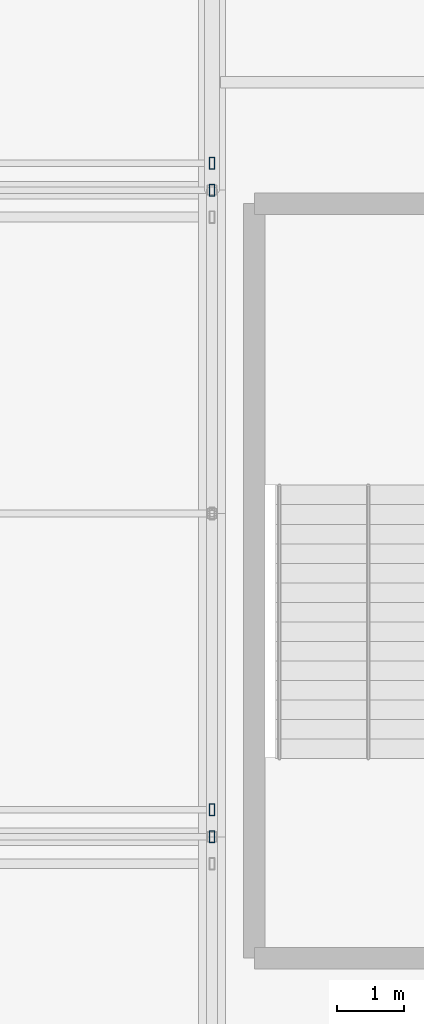
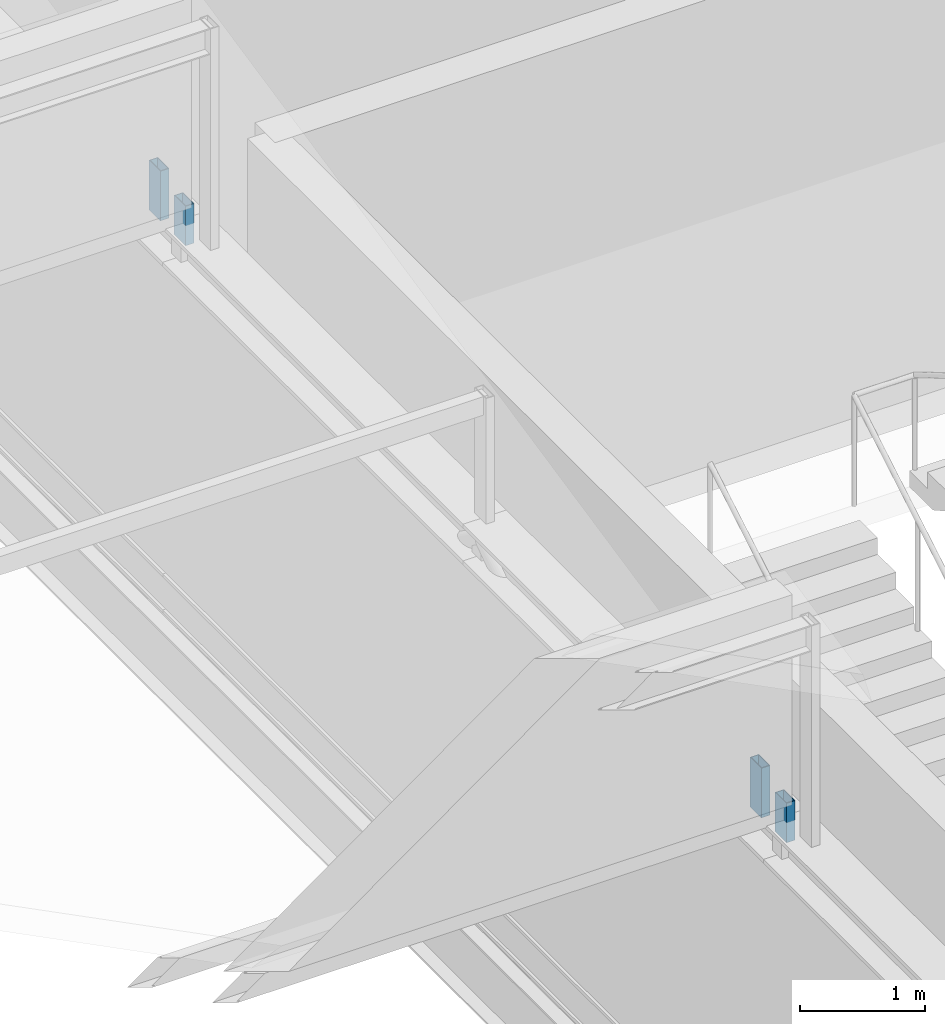
# One storey, part 91 of 136: 4 members.
"""IFC4 building model written with IfcOpenShell, lengths in metres."""

import ifcopenshell
import ifcopenshell.guid

model = None  # the IFC model being written
_history = None  # IfcOwnerHistory: only IFC2X3 demands one
_inside = {}  # id of a spatial element -> (the spatial element, [elements in it])
_under = {}  # id of a project, library or spatial element -> (it, [spatial elements below it])
_declared = {}  # id of a project -> (the project, [libraries it declares])
_typed = {}  # id of a type object -> (the type object, [elements of that type])
_made_of = {}  # id of a material, layer set ... -> (it, [elements and type objects made of it])


def new_model(schema):
    """Start an empty IFC model of exactly this schema.

    Asked for "IFC4X3", IfcOpenShell would pick the latest addendum, in which some entities
    have other attributes; the version numbers below select the first issue.
    IFC2X3 requires an IfcOwnerHistory on every rooted entity: one is made here for all.
    """
    global model, _history
    if schema == "IFC4X3":
        model = ifcopenshell.file(schema_version=(4, 3, 0, 0))
    else:
        model = ifcopenshell.file(schema=schema)
    _inside.clear()
    _under.clear()
    _declared.clear()
    _typed.clear()
    _made_of.clear()
    _history = None
    if model.schema == "IFC2X3":
        org = make("IfcOrganization", Name="unknown")
        user = make(
            "IfcPersonAndOrganization",
            ThePerson=make("IfcPerson", FamilyName="unknown"),
            TheOrganization=org,
        )
        app = make(
            "IfcApplication",
            ApplicationDeveloper=org,
            Version="unknown",
            ApplicationFullName="unknown",
            ApplicationIdentifier="unknown",
        )
        _history = make(
            "IfcOwnerHistory",
            OwningUser=user,
            OwningApplication=app,
            ChangeAction="ADDED",
            CreationDate=0,
        )
    return model


def make(cls, **values):
    """One entity of the class cls with the attributes given. An attribute that is None is left unset."""
    return model.create_entity(
        cls, **{name: value for name, value in values.items() if value is not None}
    )


def rooted(cls, **values):
    """An entity with a GlobalId (a new one), such as an element, a storey or a relation."""
    return make(cls, GlobalId=ifcopenshell.guid.new(), OwnerHistory=_history, **values)


def si_unit(unit_type, name, prefix=None):
    """IfcSIUnit, for example si_unit("LENGTHUNIT", "METRE", prefix="MILLI")."""
    return make("IfcSIUnit", UnitType=unit_type, Prefix=prefix, Name=name)


def assignment(units):
    """IfcUnitAssignment: the units of a project."""
    return None if units is None else make("IfcUnitAssignment", Units=units)


def point(xyz):
    """IfcCartesianPoint."""
    return None if xyz is None else make("IfcCartesianPoint", Coordinates=xyz)


def direction(xyz):
    """IfcDirection."""
    return None if xyz is None else make("IfcDirection", DirectionRatios=xyz)


def frame(location, z_axis=None, x_axis=None):
    """IfcAxis2Placement3D, a coordinate frame: its origin and axes. An axis left out is left unset."""
    return make(
        "IfcAxis2Placement3D",
        Location=point(location),
        Axis=direction(z_axis),
        RefDirection=direction(x_axis),
    )


def frame_2d(location, x_axis=None):
    """IfcAxis2Placement2D, a coordinate frame in the plane: its origin and x axis."""
    return make(
        "IfcAxis2Placement2D", Location=point(location), RefDirection=direction(x_axis)
    )


def origin():
    """The frame at (0, 0, 0) with its axes left unset."""
    return frame((0.0, 0.0, 0.0))


def origin_2d():
    """The frame at (0, 0) in the plane with its x axis left unset."""
    return frame_2d((0.0, 0.0))


def place(relative_to, where):
    """IfcLocalPlacement: puts the frame where relative to a parent placement (None: the world)."""
    return make(
        "IfcLocalPlacement", PlacementRelTo=relative_to, RelativePlacement=where
    )


def context(
    kind, dimensions, precision=None, world=None, true_north=None, identifier=None
):
    """IfcGeometricRepresentationContext, for example the 3D "Model" context."""
    return make(
        "IfcGeometricRepresentationContext",
        ContextIdentifier=identifier,
        ContextType=kind,
        CoordinateSpaceDimension=dimensions,
        Precision=precision,
        WorldCoordinateSystem=world,
        TrueNorth=true_north,
    )


def subcontext(parent, identifier, kind, view, scale=None):
    """IfcGeometricRepresentationSubContext, for example "Body" below "Model"."""
    return make(
        "IfcGeometricRepresentationSubContext",
        ContextIdentifier=identifier,
        ContextType=kind,
        ParentContext=parent,
        TargetScale=scale,
        TargetView=view,
    )


def project(units=None, contexts=None):
    """IfcProject with its units and contexts."""
    return rooted(
        "IfcProject",
        Name="project",
        RepresentationContexts=contexts,
        UnitsInContext=assignment(units),
    )


def spatial(cls, under=None, at=None, **own):
    """A site, building, storey or space (cls), placed at a placement, below another one or the project."""
    s = rooted(cls, ObjectPlacement=at, **own)
    if under is not None:
        _under.setdefault(under.id(), (under, []))[1].append(s)
    return s


def profile(cls, at=None, kind="AREA", **sizes):
    """A parametric profile (cls). Its sizes go by their IFC names, for example OverallWidth=200.0."""
    return make(cls, ProfileType=kind, Position=at, **sizes)


def hollow_rectangle(**sizes):
    """IfcRectangleHollowProfileDef."""
    return profile("IfcRectangleHollowProfileDef", **sizes)


def extrude(swept, where, along, depth):
    """IfcExtrudedAreaSolid: the profile swept, set in the frame where, extruded along a direction by depth."""
    return make(
        "IfcExtrudedAreaSolid",
        SweptArea=swept,
        Position=where,
        ExtrudedDirection=direction(along),
        Depth=depth,
    )


def shape(context_of_items, identifier, shape_type, items):
    """IfcShapeRepresentation: the items that make up one representation, for example the "Body"."""
    return make(
        "IfcShapeRepresentation",
        ContextOfItems=context_of_items,
        RepresentationIdentifier=identifier,
        RepresentationType=shape_type,
        Items=items,
    )


def material(Name=None, Category=None):
    """IfcMaterial."""
    return make("IfcMaterial", Name=Name, Category=Category)


def material_profile(
    of_material, cross_section, Name=None, Category=None, Priority=None
):
    """IfcMaterialProfile: a cross section and its material."""
    return make(
        "IfcMaterialProfile",
        Name=Name,
        Material=of_material,
        Profile=cross_section,
        Priority=Priority,
        Category=Category,
    )


def profile_set(profiles, Name=None, composite=None):
    """IfcMaterialProfileSet."""
    return make(
        "IfcMaterialProfileSet",
        Name=Name,
        MaterialProfiles=profiles,
        CompositeProfile=composite,
    )


def made_of(thing, what):
    """Note that an element or type object is made of a material, layer set ...; save() writes the relation."""
    if what is not None:
        _made_of.setdefault(what.id(), (what, []))[1].append(thing)
    return thing


def type_object(cls, material=None, **own):
    """A type object (cls), such as IfcWallType, which elements share."""
    return made_of(rooted(cls, **own), material)


def element(
    cls,
    number,
    at=None,
    inside=None,
    cuts=None,
    type_object=None,
    material=None,
    context=None,
    identifier="Body",
    shape_type=None,
    held_by="IfcProductDefinitionShape",
    body=None,
    shapes=None,
    **own,
):
    """One element of the class cls, such as IfcWall. Its Tag is "e" and its number.

    at: its placement. inside: the storey or other place that contains it. cuts: it is an
    opening in that element (IfcRelVoidsElement). A single representation is given by context,
    identifier, shape_type and body (its items); several are given by shapes. held_by: the class
    of the entity that holds the representations. save() writes the other relations.
    """
    e = rooted(cls, Tag="e%d" % number, ObjectPlacement=at, **own)
    if body is not None:
        shapes = [shape(context, identifier, shape_type, body)]
    if shapes is not None:
        e.Representation = make(held_by, Representations=shapes)
    if inside is not None:
        _inside.setdefault(inside.id(), (inside, []))[1].append(e)
    if cuts is not None:
        rooted(
            "IfcRelVoidsElement", RelatingBuildingElement=cuts, RelatedOpeningElement=e
        )
    if type_object is not None:
        _typed.setdefault(type_object.id(), (type_object, []))[1].append(e)
    return made_of(e, material)


def aggregate(whole, parts):
    """IfcRelAggregates: a whole, such as a stair, and the parts it consists of."""
    return rooted("IfcRelAggregates", RelatingObject=whole, RelatedObjects=parts)


def save(model, path):
    """Write the relations noted so far, then the file.

    IfcRelAggregates (storeys below a building ...), IfcRelContainedInSpatialStructure (elements
    in a storey), IfcRelDefinesByType, IfcRelAssociatesMaterial and IfcRelDeclares: one each for
    every whole, place, type object, material and project.
    """
    for whole, parts in _under.values():
        aggregate(whole, parts)
    for where, things in _inside.values():
        rooted(
            "IfcRelContainedInSpatialStructure",
            RelatedElements=things,
            RelatingStructure=where,
        )
    for kind, things in _typed.values():
        rooted("IfcRelDefinesByType", RelatedObjects=things, RelatingType=kind)
    for what, things in _made_of.values():
        rooted("IfcRelAssociatesMaterial", RelatedObjects=things, RelatingMaterial=what)
    for by, libraries in _declared.values():
        rooted("IfcRelDeclares", RelatingContext=by, RelatedDefinitions=libraries)
    model.write(path)


model = new_model("IFC4")

# Units and contexts
model_context = context("Model", 3, precision=1e-05, world=origin(), true_north=direction((0.0, 1.0)))
body_context = subcontext(model_context, "Body", "Model", "MODEL_VIEW")
ifc_project = project(units=[si_unit("LENGTHUNIT", "METRE"), si_unit("AREAUNIT", "SQUARE_METRE"), si_unit("VOLUMEUNIT", "CUBIC_METRE"), si_unit("PLANEANGLEUNIT", "RADIAN"), si_unit("MASSUNIT", "GRAM", prefix="KILO")], contexts=[model_context])

# Site, building, storey
site_placement = place(None, origin())
site = spatial("IfcSite", under=ifc_project, at=site_placement, CompositionType="ELEMENT")
building_placement = place(site_placement, origin())
building = spatial("IfcBuilding", under=site, at=building_placement, Name="Kisiwana Market Hall", CompositionType="ELEMENT")
storey_placement = place(building_placement, frame((0.0, 0.0, 16.800048828125)))
storey = spatial("IfcBuildingStorey", under=building, at=storey_placement, Name="L03", CompositionType="ELEMENT", Elevation=16.800048828125)

# Members
ifc_material = material(Name="Steel S355", Category="steel")
ifc_material_profile = material_profile(ifc_material, hollow_rectangle(XDim=0.080078125, YDim=0.179931640625, WallThickness=0.00634765625, at=origin_2d()), Name="RHS 180x80x6.3")
ifc_profile_set = profile_set([ifc_material_profile], Name="Steel S355")
member_type = type_object("IfcMemberType", Name="MB-CAN-STRUT", PredefinedType="STRUT", material=ifc_profile_set)
member_1_placement = place(storey_placement, frame((153.0, 64.800048828125, 3.619873046875), z_axis=(0.0, 0.0, 1.0), x_axis=(1.0, 0.0, 0.0)))
element("IfcMember", 1, at=member_1_placement, inside=storey, type_object=member_type, Name="Sawtooth raker post 266 M-0295", PredefinedType="STRUT", context=body_context, shape_type="SweptSolid", body=[
    extrude(hollow_rectangle(XDim=0.080078125, YDim=0.179931640625, WallThickness=0.00634765625, at=origin_2d()), origin(), (0.0, 0.0, 1.0), 0.385009765625),
])
member_2_placement = place(storey_placement, frame((153.0, 65.199951171875, 3.619873046875), z_axis=(0.0, 0.0, 1.0), x_axis=(1.0, 0.0, 0.0)))
element("IfcMember", 2, at=member_2_placement, inside=storey, type_object=member_type, Name="Sawtooth raker post 309 M-0317", PredefinedType="STRUT", context=body_context, shape_type="SweptSolid", body=[
    extrude(hollow_rectangle(XDim=0.080078125, YDim=0.179931640625, WallThickness=0.00634765625, at=origin_2d()), origin(), (0.0, 0.0, 1.0), 0.485107421875),
])
member_3_placement = place(storey_placement, frame((153.0, 74.39990234375, 3.619873046875), z_axis=(0.0, 0.0, 1.0), x_axis=(1.0, 0.0, 0.0)))
element("IfcMember", 3, at=member_3_placement, inside=storey, type_object=member_type, Name="Sawtooth raker post 311 M-0319", PredefinedType="STRUT", context=body_context, shape_type="SweptSolid", body=[
    extrude(hollow_rectangle(XDim=0.080078125, YDim=0.179931640625, WallThickness=0.00634765625, at=origin_2d()), origin(), (0.0, 0.0, 1.0), 0.385009765625),
])
member_4_placement = place(storey_placement, frame((153.0, 74.800048828125, 3.619873046875), z_axis=(0.0, 0.0, 1.0), x_axis=(1.0, 0.0, 0.0)))
element("IfcMember", 4, at=member_4_placement, inside=storey, type_object=member_type, Name="Sawtooth raker post 347 M-0334", PredefinedType="STRUT", context=body_context, shape_type="SweptSolid", body=[
    extrude(hollow_rectangle(XDim=0.080078125, YDim=0.179931640625, WallThickness=0.00634765625, at=origin_2d()), origin(), (0.0, 0.0, 1.0), 0.485107421875),
])

save(model, "model.ifc")
